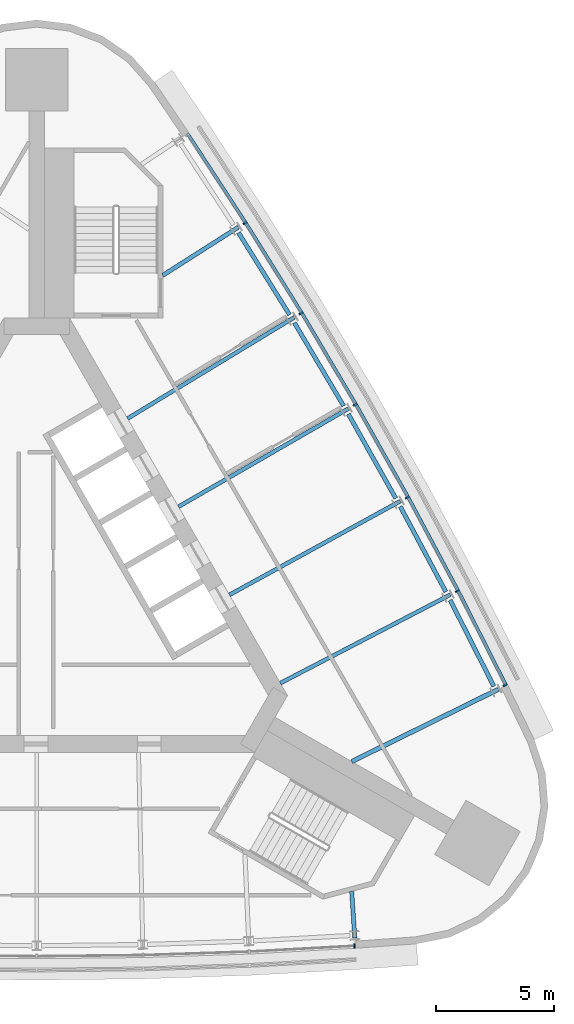
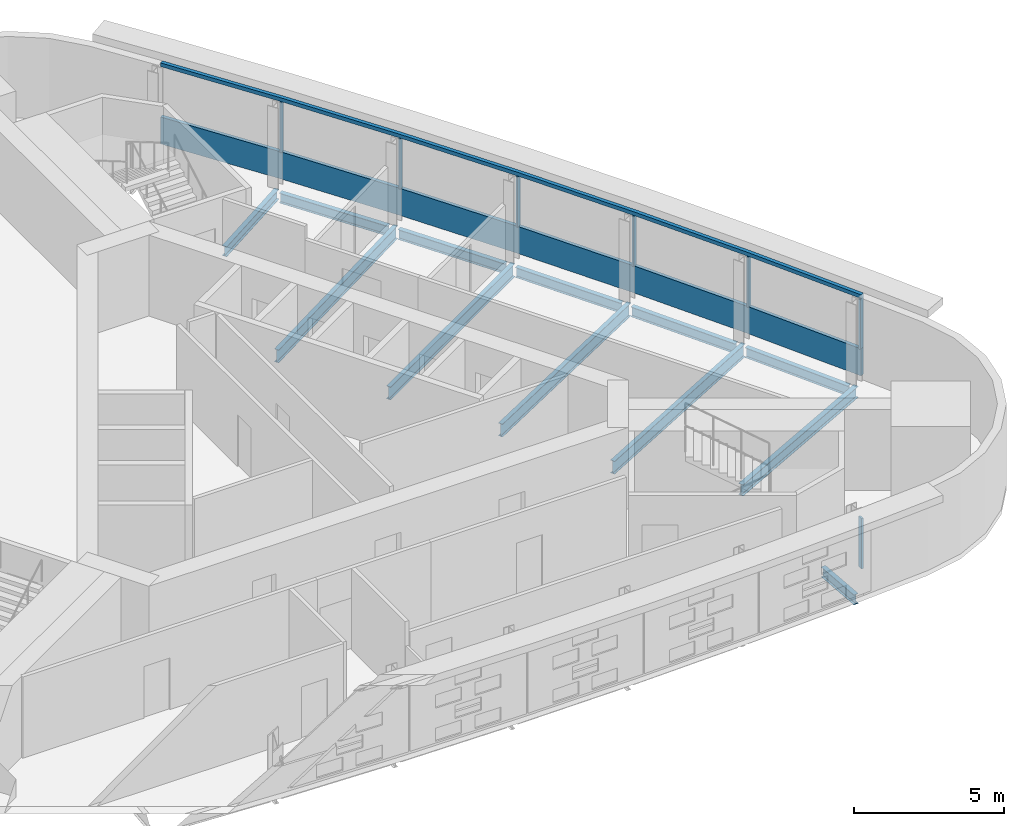
# One storey, part 4 of 11: 12 beams, 9 members, 2 elements without a shape of their own.
"""IFC4 building model written with IfcOpenShell, lengths in metres."""

from ifc_helpers import new_model, si_unit, direction, frame, origin, origin_2d, place, context, subcontext, project, spatial, polyline, rectangle, i_section, outline, extrude, material, material_profile, profile_set, type_object, element, aggregate, save


model = new_model("IFC4")

# Units and contexts
model_context = context("Model", 3, precision=1e-05, world=origin(), true_north=direction((0.0, 1.0)))
body_context = subcontext(model_context, "Body", "Model", "MODEL_VIEW")
ifc_project = project(units=[si_unit("LENGTHUNIT", "METRE"), si_unit("AREAUNIT", "SQUARE_METRE"), si_unit("VOLUMEUNIT", "CUBIC_METRE"), si_unit("PLANEANGLEUNIT", "RADIAN"), si_unit("MASSUNIT", "GRAM", prefix="KILO")], contexts=[model_context])

# Site, building, storey
site_placement = place(None, origin())
site = spatial("IfcSite", under=ifc_project, at=site_placement, CompositionType="ELEMENT")
building_placement = place(site_placement, origin())
building = spatial("IfcBuilding", under=site, at=building_placement, Name="Noor Cloister Tower", CompositionType="ELEMENT")
storey_placement = place(building_placement, frame((0.0, 0.0, 206.699951171875)))
storey = spatial("IfcBuildingStorey", under=building, at=storey_placement, Name="L53", CompositionType="ELEMENT", Elevation=206.699951171875)

# Curtain wall, member
ifc_material_1 = material(Name="Aluminium 6063-T6 anodised", Category="aluminium")
curtain_wall_type = type_object("IfcCurtainWallType", Name="Ribbon curtain wall, upper tower CW5", PredefinedType="NOTDEFINED", material=ifc_material_1)
curtain_wall_1_placement = place(storey_placement, origin())
curtain_wall_1 = element("IfcCurtainWall", 1, at=curtain_wall_1_placement, inside=storey, type_object=curtain_wall_type, Name="CW5 L53 NE run 3", PredefinedType="NOTDEFINED")
ifc_material_2 = material(Name="Aluminium 6063-T6 anodised", Category="aluminium")
member_type_1 = type_object("IfcMemberType", Name="Head transom CW5 150", PredefinedType="USERDEFINED", material=ifc_material_2)
member_1_placement = place(storey_placement, frame((0.0, 0.0, 3.150146484375)))
member_1 = element("IfcMember", 2, at=member_1_placement, type_object=member_type_1, Name="CW5 head transom", ObjectType="TRANSOM", PredefinedType="USERDEFINED", context=body_context, shape_type="SweptSolid", body=[
    extrude(outline(polyline([(19.92919921875, -4.071044921875), (17.895751953125, -0.056884765625), (15.775146484375, 3.912109375), (13.56787109375, 7.83349609375), (11.275390625, 11.70556640625), (8.898681640625, 15.526611328125), (6.43896484375, 19.294677734375), (6.32177734375, 19.21826171875), (8.78076171875, 15.451416015625), (11.15576171875, 11.633056640625), (13.446533203125, 7.763427734375), (15.65234375, 3.8447265625), (17.771728515625, -0.121337890625), (19.804443359375, -4.13427734375), (19.92919921875, -4.071044921875)])), origin(), (0.0, 0.0, 1.0), 0.14990234375),
])

curtain_wall_2_placement = place(storey_placement, origin())
curtain_wall_2 = element("IfcCurtainWall", 3, at=curtain_wall_2_placement, inside=storey, type_object=curtain_wall_type, Name="CW5 L53 S run 2", PredefinedType="NOTDEFINED")
ifc_material_3 = material(Name="Aluminium 6063-T6 anodised", Category="aluminium")
ifc_material_profile_1 = material_profile(ifc_material_3, rectangle(XDim=0.179931640625, YDim=0.070068359375, at=origin_2d()), Name="180 x 70 mullion")
ifc_profile_set_1 = profile_set([ifc_material_profile_1], Name="Aluminium 6063-T6 anodised")
member_type_2 = type_object("IfcMemberType", Name="Mullion CW5 70 x 180", PredefinedType="MULLION", material=ifc_profile_set_1)
member_2_placement = place(storey_placement, frame((13.449951171875, -15.125732421875, 1.10009765625), z_axis=(0.0, 0.0, 1.0), x_axis=(-0.054701304331, 0.998502762793, 0.0)))
member_2 = element("IfcMember", 4, at=member_2_placement, type_object=member_type_2, Name="CW5 mullion 7", PredefinedType="MULLION", context=body_context, shape_type="SweptSolid", body=[
    extrude(rectangle(XDim=0.179931640625, YDim=0.070068359375, at=origin_2d()), origin(), (0.0, 0.0, 1.0), 2.050048828125),
])
aggregate(curtain_wall_2, [member_2])

# Member
member_3_placement = place(storey_placement, frame((19.82421875, -4.0849609375, 1.10009765625), z_axis=(0.0, 0.0, 1.0), x_axis=(-0.892079410493, -0.451878662226, 0.0)))
member_3 = element("IfcMember", 5, at=member_3_placement, type_object=member_type_2, Name="CW5 mullion 1", PredefinedType="MULLION", context=body_context, shape_type="SweptSolid", body=[
    extrude(rectangle(XDim=0.179931640625, YDim=0.070068359375, at=origin_2d()), origin(), (0.0, 0.0, 1.0), 2.050048828125),
])

member_4_placement = place(storey_placement, frame((17.80712890625, -0.10302734375, 1.10009765625), z_axis=(0.0, 0.0, 1.0), x_axis=(-0.887079929457, -0.461615856264, 0.0)))
member_4 = element("IfcMember", 6, at=member_4_placement, type_object=member_type_2, Name="CW5 mullion 2", PredefinedType="MULLION", context=body_context, shape_type="SweptSolid", body=[
    extrude(rectangle(XDim=0.179931640625, YDim=0.070068359375, at=origin_2d()), origin(), (0.0, 0.0, 1.0), 2.050048828125),
])

member_5_placement = place(storey_placement, frame((15.687255859375, 3.864013671875, 1.10009765625), z_axis=(0.0, 0.0, 1.0), x_axis=(-0.876762750316, -0.480923153589, 0.0)))
member_5 = element("IfcMember", 7, at=member_5_placement, type_object=member_type_2, Name="CW5 mullion 3", PredefinedType="MULLION", context=body_context, shape_type="SweptSolid", body=[
    extrude(rectangle(XDim=0.179931640625, YDim=0.070068359375, at=origin_2d()), origin(), (0.0, 0.0, 1.0), 2.050048828125),
])

member_6_placement = place(storey_placement, frame((13.481201171875, 7.783447265625, 1.10009765625), z_axis=(0.0, 0.0, 1.0), x_axis=(-0.866025403784, -0.5, 0.0)))
member_6 = element("IfcMember", 8, at=member_6_placement, type_object=member_type_2, Name="CW5 mullion 4", PredefinedType="MULLION", context=body_context, shape_type="SweptSolid", body=[
    extrude(rectangle(XDim=0.179931640625, YDim=0.070068359375, at=origin_2d()), origin(), (0.0, 0.0, 1.0), 2.050048828125),
])

member_7_placement = place(storey_placement, frame((11.18994140625, 11.65380859375, 1.10009765625), z_axis=(0.0, 0.0, 1.0), x_axis=(-0.854873043434, -0.518837238071, 0.0)))
member_7 = element("IfcMember", 9, at=member_7_placement, type_object=member_type_2, Name="CW5 mullion 5", PredefinedType="MULLION", context=body_context, shape_type="SweptSolid", body=[
    extrude(rectangle(XDim=0.179931640625, YDim=0.070068359375, at=origin_2d()), origin(), (0.0, 0.0, 1.0), 2.050048828125),
])

member_8_placement = place(storey_placement, frame((8.814453125, 15.472900390625, 1.10009765625), z_axis=(0.0, 0.0, 1.0), x_axis=(-0.843311023043, -0.537425825965, 0.0)))
member_8 = element("IfcMember", 10, at=member_8_placement, type_object=member_type_2, Name="CW5 mullion 6", PredefinedType="MULLION", context=body_context, shape_type="SweptSolid", body=[
    extrude(rectangle(XDim=0.179931640625, YDim=0.070068359375, at=origin_2d()), origin(), (0.0, 0.0, 1.0), 2.050048828125),
])

# Beams
ifc_material_4 = material(Name="Steel ASTM A992 Gr 50", Category="steel")
ifc_material_profile_2 = material_profile(ifc_material_4, i_section(OverallWidth=0.177978515625, OverallDepth=0.406005859375, WebThickness=0.0078125, FlangeThickness=0.0126953125, FilletRadius=0.01025390625, at=origin_2d()), Name="W410x60")
ifc_profile_set_2 = profile_set([ifc_material_profile_2], Name="Steel ASTM A992 Gr 50")
beam_type_1 = type_object("IfcBeamType", Name="Radial beam W410x60", PredefinedType="BEAM", material=ifc_profile_set_2)
beam_1_placement = place(storey_placement, frame((13.461669921875, -14.78662109375, -0.40283203125), z_axis=(-0.065647557402, 0.997842872504, 0.0), x_axis=(-0.997842872504, -0.065647557402, 0.0)))
element("IfcBeam", 11, at=beam_1_placement, inside=storey, type_object=beam_type_1, Name="Radial beam S 07 L53", PredefinedType="BEAM", context=body_context, shape_type="SweptSolid", body=[
    extrude(i_section(OverallWidth=0.177978515625, OverallDepth=0.406005859375, WebThickness=0.0078125, FlangeThickness=0.0126953125, FilletRadius=0.01025390625, at=origin_2d()), origin(), (0.0, 0.0, 1.0), 1.970947265625),
])
beam_2_placement = place(storey_placement, frame((8.529296875, 15.291259765625, -0.40283203125), z_axis=(-0.843289653713, -0.537459356548, 0.0), x_axis=(0.537459356548, -0.843289653713, 0.0)))
element("IfcBeam", 12, at=beam_2_placement, inside=storey, type_object=beam_type_1, Name="Radial beam NE 06 L53", PredefinedType="BEAM", context=body_context, shape_type="SweptSolid", body=[
    extrude(i_section(OverallWidth=0.177978515625, OverallDepth=0.406005859375, WebThickness=0.0078125, FlangeThickness=0.0126953125, FilletRadius=0.01025390625, at=origin_2d()), origin(), (0.0, 0.0, 1.0), 3.787109375),
])
ifc_material_5 = material(Name="Steel ASTM A992 Gr 50", Category="steel")
ifc_material_profile_3 = material_profile(ifc_material_5, i_section(OverallWidth=0.19091796875, OverallDepth=0.45703125, WebThickness=0.009033203125, FlangeThickness=0.014404296875, FilletRadius=0.01025390625, at=origin_2d()), Name="W460x74")
ifc_profile_set_3 = profile_set([ifc_material_profile_3], Name="Steel ASTM A992 Gr 50")
beam_type_2 = type_object("IfcBeamType", Name="Radial beam W460x74", PredefinedType="BEAM", material=ifc_profile_set_3)
beam_3_placement = place(storey_placement, frame((19.536376953125, -4.2646484375, -0.428466796875), z_axis=(-0.896968292285, -0.442094879676, 0.0), x_axis=(0.442094879676, -0.896968292285, 0.0)))
element("IfcBeam", 13, at=beam_3_placement, inside=storey, type_object=beam_type_2, Name="Radial beam NE 01 L53", PredefinedType="BEAM", context=body_context, shape_type="SweptSolid", body=[
    extrude(i_section(OverallWidth=0.19091796875, OverallDepth=0.45703125, WebThickness=0.009033203125, FlangeThickness=0.014404296875, FilletRadius=0.01025390625, at=origin_2d()), origin(), (0.0, 0.0, 1.0), 6.916259765625),
])
ifc_material_6 = material(Name="Steel ASTM A992 Gr 50", Category="steel")
ifc_material_profile_4 = material_profile(ifc_material_6, i_section(OverallWidth=0.166015625, OverallDepth=0.528076171875, WebThickness=0.009765625, FlangeThickness=0.013671875, FilletRadius=0.0126953125, at=origin_2d()), Name="W530x74")
ifc_profile_set_4 = profile_set([ifc_material_profile_4], Name="Steel ASTM A992 Gr 50")
beam_type_3 = type_object("IfcBeamType", Name="Radial beam W530x74", PredefinedType="BEAM", material=ifc_profile_set_4)
beam_4_placement = place(storey_placement, frame((17.50732421875, -0.259033203125, -0.4638671875), z_axis=(-0.887074841572, -0.461625633441, 0.0), x_axis=(0.461625633441, -0.887074841572, 0.0)))
element("IfcBeam", 14, at=beam_4_placement, inside=storey, type_object=beam_type_3, Name="Radial beam NE 02 L53", PredefinedType="BEAM", context=body_context, shape_type="SweptSolid", body=[
    extrude(i_section(OverallWidth=0.166015625, OverallDepth=0.528076171875, WebThickness=0.009765625, FlangeThickness=0.013671875, FilletRadius=0.0126953125, at=origin_2d()), origin(), (0.0, 0.0, 1.0), 8.11181640625),
])
beam_5_placement = place(storey_placement, frame((15.39111328125, 3.701416015625, -0.4638671875), z_axis=(-0.876764933671, -0.480919173131, 0.0), x_axis=(0.480919173131, -0.876764933671, 0.0)))
element("IfcBeam", 15, at=beam_5_placement, inside=storey, type_object=beam_type_3, Name="Radial beam NE 03 L53", PredefinedType="BEAM", context=body_context, shape_type="SweptSolid", body=[
    extrude(i_section(OverallWidth=0.166015625, OverallDepth=0.528076171875, WebThickness=0.009765625, FlangeThickness=0.013671875, FilletRadius=0.0126953125, at=origin_2d()), origin(), (0.0, 0.0, 1.0), 8.25341796875),
])
beam_6_placement = place(storey_placement, frame((13.1884765625, 7.614501953125, -0.4638671875), z_axis=(-0.866019052629, -0.500011000363, 0.0), x_axis=(0.500011000363, -0.866019052629, 0.0)))
element("IfcBeam", 16, at=beam_6_placement, inside=storey, type_object=beam_type_3, Name="Radial beam NE 04 L53", PredefinedType="BEAM", context=body_context, shape_type="SweptSolid", body=[
    extrude(i_section(OverallWidth=0.166015625, OverallDepth=0.528076171875, WebThickness=0.009765625, FlangeThickness=0.013671875, FilletRadius=0.0126953125, at=origin_2d()), origin(), (0.0, 0.0, 1.0), 8.300537109375),
])
beam_7_placement = place(storey_placement, frame((10.90087890625, 11.478271484375, -0.4638671875), z_axis=(-0.854871861659, -0.518839185242, 0.0), x_axis=(0.518839185242, -0.854871861659, 0.0)))
element("IfcBeam", 17, at=beam_7_placement, inside=storey, type_object=beam_type_3, Name="Radial beam NE 05 L53", PredefinedType="BEAM", context=body_context, shape_type="SweptSolid", body=[
    extrude(i_section(OverallWidth=0.166015625, OverallDepth=0.528076171875, WebThickness=0.009765625, FlangeThickness=0.013671875, FilletRadius=0.0126953125, at=origin_2d()), origin(), (0.0, 0.0, 1.0), 8.25341796875),
])

# Member
ifc_material_7 = material(Name="Aluminium 6063-T6 anodised", Category="aluminium")
member_type_3 = type_object("IfcMemberType", Name="Sill transom CW5 1100", PredefinedType="USERDEFINED", material=ifc_material_7)
member_9_placement = place(storey_placement, origin())
member_9 = element("IfcMember", 18, at=member_9_placement, type_object=member_type_3, Name="CW5 sill transom", ObjectType="TRANSOM", PredefinedType="USERDEFINED", context=body_context, shape_type="SweptSolid", body=[
    extrude(outline(polyline([(19.92919921875, -4.071044921875), (17.895751953125, -0.056884765625), (15.775146484375, 3.912109375), (13.56787109375, 7.83349609375), (11.275390625, 11.70556640625), (8.898681640625, 15.526611328125), (6.43896484375, 19.294677734375), (6.32177734375, 19.21826171875), (8.78076171875, 15.451416015625), (11.15576171875, 11.633056640625), (13.446533203125, 7.763427734375), (15.65234375, 3.8447265625), (17.771728515625, -0.121337890625), (19.804443359375, -4.13427734375), (19.92919921875, -4.071044921875)])), origin(), (0.0, 0.0, 1.0), 1.10009765625),
])

aggregate(curtain_wall_1, [member_3, member_4, member_5, member_6, member_7, member_8, member_9, member_1])

# Beams
ifc_material_8 = material(Name="Steel ASTM A992 Gr 50", Category="steel")
ifc_material_profile_5 = material_profile(ifc_material_8, i_section(OverallWidth=0.177978515625, OverallDepth=0.406005859375, WebThickness=0.0078125, FlangeThickness=0.0126953125, FilletRadius=0.01025390625, at=origin_2d()), Name="W410x60")
ifc_profile_set_5 = profile_set([ifc_material_profile_5], Name="Steel ASTM A992 Gr 50")
beam_type_4 = type_object("IfcBeamType", Name="Spandrel beam W410x60", PredefinedType="SPANDREL", material=ifc_profile_set_5)
beam_8_placement = place(storey_placement, frame((19.346923828125, -4.138427734375, -0.40283203125), z_axis=(-0.451859126389, 0.892089306011, 0.0), x_axis=(-0.892089306011, -0.451859126389, 0.0)))
element("IfcBeam", 19, at=beam_8_placement, inside=storey, type_object=beam_type_4, Name="Spandrel beam NE 01 L53", PredefinedType="SPANDREL", context=body_context, shape_type="SweptSolid", body=[
    extrude(i_section(OverallWidth=0.177978515625, OverallDepth=0.406005859375, WebThickness=0.0078125, FlangeThickness=0.0126953125, FilletRadius=0.01025390625, at=origin_2d()), origin(), (0.0, 0.0, 1.0), 4.093994140625),
])
beam_9_placement = place(storey_placement, frame((17.315185546875, -0.136962890625, -0.40283203125), z_axis=(-0.471309290778, 0.881967999661, 0.0), x_axis=(-0.881967999661, -0.471309290778, 0.0)))
element("IfcBeam", 20, at=beam_9_placement, inside=storey, type_object=beam_type_4, Name="Spandrel beam NE 02 L53", PredefinedType="SPANDREL", context=body_context, shape_type="SweptSolid", body=[
    extrude(i_section(OverallWidth=0.177978515625, OverallDepth=0.406005859375, WebThickness=0.0078125, FlangeThickness=0.0126953125, FilletRadius=0.01025390625, at=origin_2d()), origin(), (0.0, 0.0, 1.0), 4.09375),
])
beam_10_placement = place(storey_placement, frame((15.1962890625, 3.819091796875, -0.40283203125), z_axis=(-0.490496221851, 0.871443317922, 0.0), x_axis=(-0.871443317922, -0.490496221851, 0.0)))
element("IfcBeam", 21, at=beam_10_placement, inside=storey, type_object=beam_type_4, Name="Spandrel beam NE 03 L53", PredefinedType="SPANDREL", context=body_context, shape_type="SweptSolid", body=[
    extrude(i_section(OverallWidth=0.177978515625, OverallDepth=0.406005859375, WebThickness=0.0078125, FlangeThickness=0.0126953125, FilletRadius=0.01025390625, at=origin_2d()), origin(), (0.0, 0.0, 1.0), 4.093994140625),
])
for number, where, z_axis, x_axis, name in (
    (22, (12.9912109375, 7.72802734375, -0.40283203125), (-0.509470509715, 0.860488117135, 0.0), (-0.860488117135, -0.509470509715, 0.0), "Spandrel beam NE 04 L53"),
    (23, (10.701171875, 11.58740234375, -0.40283203125), (-0.528137553782, 0.849158833367, 0.0), (-0.849158833367, -0.528137553782, 0.0), "Spandrel beam NE 05 L53"),
):
    element("IfcBeam", number, at=place(storey_placement, frame(where, z_axis=z_axis, x_axis=x_axis)), inside=storey, type_object=beam_type_4, Name=name, PredefinedType="SPANDREL", context=body_context, shape_type="SweptSolid", body=[
        extrude(i_section(OverallWidth=0.177978515625, OverallDepth=0.406005859375, WebThickness=0.0078125, FlangeThickness=0.0126953125, FilletRadius=0.01025390625, at=origin_2d()), origin(), (0.0, 0.0, 1.0), 4.09375),
    ])

save(model, "model.ifc")
